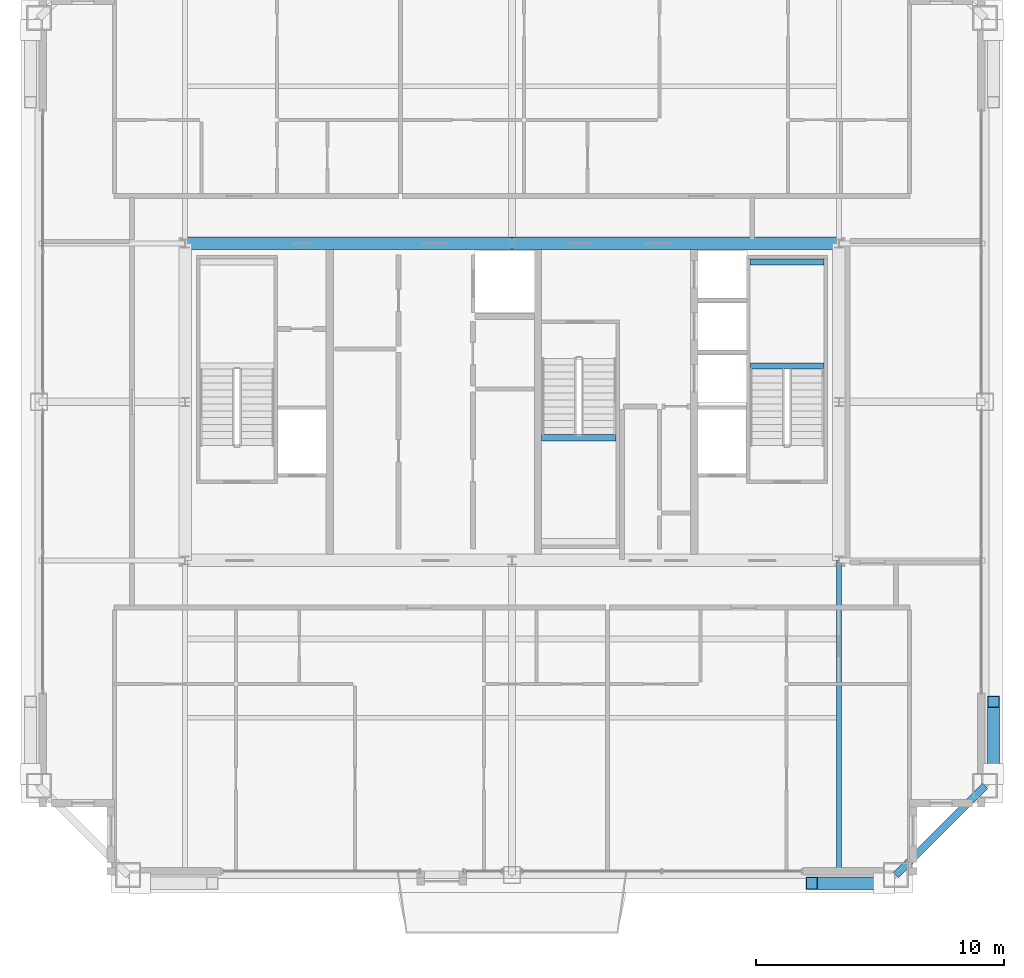
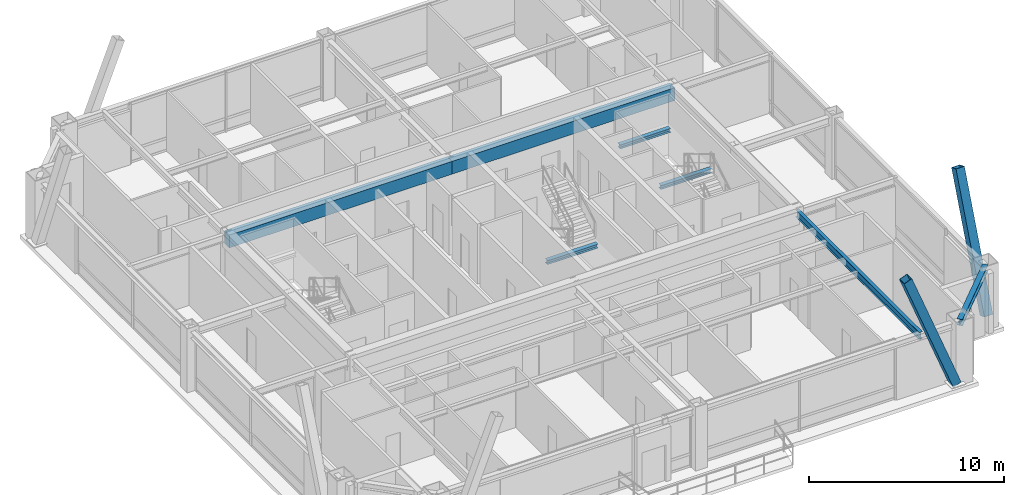
# One storey, part 12 of 35: 7 beams, 2 members.
"""IFC4 building model written with IfcOpenShell, lengths in metres."""

from ifc_helpers import new_model, si_unit, direction, frame, origin, origin_2d, place, context, subcontext, project, spatial, rectangle, hollow_rectangle, i_section, extrude, source, transform, mapped, material, material_profile, profile_set, type_object, element, save


model = new_model("IFC4")

# Units and contexts
model_context = context("Model", 3, precision=1e-05, world=origin(), true_north=direction((0.0, 1.0)))
body_context = subcontext(model_context, "Body", "Model", "MODEL_VIEW")
ifc_project = project(units=[si_unit("LENGTHUNIT", "METRE"), si_unit("AREAUNIT", "SQUARE_METRE"), si_unit("VOLUMEUNIT", "CUBIC_METRE"), si_unit("PLANEANGLEUNIT", "RADIAN"), si_unit("MASSUNIT", "GRAM", prefix="KILO"), si_unit("THERMODYNAMICTEMPERATUREUNIT", "KELVIN"), si_unit("POWERUNIT", "WATT")], contexts=[model_context])

# Site, building, storey
site_placement = place(None, origin())
site = spatial("IfcSite", under=ifc_project, at=site_placement, CompositionType="ELEMENT")
building_placement = place(site_placement, origin())
building = spatial("IfcBuilding", under=site, at=building_placement, Name="Yuzanri Waterfront Tower", CompositionType="ELEMENT")
storey_placement = place(building_placement, frame((0.0, 0.0, 343.199951171875)))
storey = spatial("IfcBuildingStorey", under=building, at=storey_placement, Name="L92", CompositionType="ELEMENT", Elevation=343.199951171875)

# Beams
ifc_material_1 = material(Name="Concrete C50", Category="concrete")
ifc_material_profile_1 = material_profile(ifc_material_1, rectangle(XDim=0.5, YDim=0.800048828125, at=origin_2d()), Name="RC 500x800")
ifc_profile_set_1 = profile_set([ifc_material_profile_1], Name="Concrete C50")
beam_type_1 = type_object("IfcBeamType", Name="Core Coupling Lintel Concrete C50 500x800", PredefinedType="LINTEL", material=ifc_profile_set_1)
shared_shape_1 = source(origin(), body_context, "Body", "SweptSolid", [
    extrude(rectangle(XDim=0.5, YDim=0.800048828125, at=origin_2d()), origin(), (0.0, 0.0, 1.0), 13.199951171875),
])
for number, where, z_axis, x_axis, name in (
    (1, (23.800048828125, 32.199951171875, 3.360107421875), (1.0, 0.0, 0.0), (0.0, 1.0, 0.0), "L92 Core Tie Beam CN1"),
    (2, (37.0, 32.199951171875, 3.360107421875), (1.0, 0.0, 0.0), (0.0, 1.0, 0.0), "L92 Core Tie Beam CN2"),
):
    element("IfcBeam", number, at=place(storey_placement, frame(where, z_axis=z_axis, x_axis=x_axis)), inside=storey, type_object=beam_type_1, Name=name, PredefinedType="LINTEL", context=body_context, shape_type="MappedRepresentation", body=[
        mapped(shared_shape_1, transform((0.0, 0.0, 0.0), scale=1.0)),
    ])
ifc_material_2 = material(Name="Steel Q355B", Category="steel")
ifc_material_profile_2 = material_profile(ifc_material_2, i_section(OverallWidth=0.300048828125, OverallDepth=0.389892578125, WebThickness=0.010009765625, FlangeThickness=0.01611328125, at=origin_2d()), Name="HM 390x300x10x16")
ifc_profile_set_2 = profile_set([ifc_material_profile_2], Name="Steel Q355B")
beam_type_2 = type_object("IfcBeamType", Name="Perimeter Spandrel Q355B HM 390x300", PredefinedType="SPANDREL", material=ifc_profile_set_2)
shared_shape_2 = source(origin(), body_context, "Body", "SweptSolid", [
    extrude(i_section(OverallWidth=0.300048828125, OverallDepth=0.389892578125, WebThickness=0.010009765625, FlangeThickness=0.01611328125, at=origin_2d()), origin(), (0.0, 0.0, 1.0), 5.09130859375),
])
beam_1_placement = place(storey_placement, frame((52.5, 6.699951171875, 3.56494140625), z_axis=(0.707106781187, 0.707106781187, 0.0), x_axis=(-0.707106781187, 0.707106781187, 0.0)))
element("IfcBeam", 3, at=beam_1_placement, inside=storey, type_object=beam_type_2, Name="L92 Perimeter Spandrel S3-E1", PredefinedType="SPANDREL", context=body_context, shape_type="MappedRepresentation", body=[
    mapped(shared_shape_2, transform((0.0, 0.0, 0.0), scale=1.0)),
])
ifc_material_3 = material(Name="Steel Q355B", Category="steel")
ifc_material_profile_3 = material_profile(ifc_material_3, i_section(OverallWidth=0.199951171875, OverallDepth=0.449951171875, WebThickness=0.009033203125, FlangeThickness=0.013916015625, at=origin_2d()), Name="HN 450x200x9x14")
ifc_profile_set_3 = profile_set([ifc_material_profile_3], Name="Steel Q355B")
beam_type_3 = type_object("IfcBeamType", Name="Secondary Floor Beam Q355B HN 450x200", PredefinedType="BEAM", material=ifc_profile_set_3)
shared_shape_3 = source(origin(), body_context, "Body", "SweptSolid", [
    extrude(i_section(OverallWidth=0.199951171875, OverallDepth=0.449951171875, WebThickness=0.009033203125, FlangeThickness=0.013916015625, at=origin_2d()), origin(), (0.0, 0.0, 1.0), 12.699951171875),
])
beam_2_placement = place(storey_placement, frame((50.199951171875, 19.39990234375, 3.53515625), z_axis=(0.0, -1.0, 0.0), x_axis=(1.0, 0.0, 0.0)))
element("IfcBeam", 4, at=beam_2_placement, inside=storey, type_object=beam_type_3, Name="L92 South-East Core Line Beam", PredefinedType="BEAM", context=body_context, shape_type="MappedRepresentation", body=[
    mapped(shared_shape_3, transform((0.0, 0.0, 0.0), scale=1.0)),
])

# Members
ifc_material_4 = material(Name="Steel Q390GJC", Category="steel")
ifc_material_profile_4 = material_profile(ifc_material_4, hollow_rectangle(XDim=0.5, YDim=0.5, WallThickness=0.02197265625, at=origin_2d()), Name="RHS 500x500x22")
ifc_profile_set_4 = profile_set([ifc_material_profile_4], Name="Steel Q390GJC")
member_type = type_object("IfcMemberType", Name="Mega Brace Upper Q390GJC RHS 500x500x22", PredefinedType="BRACE", material=ifc_profile_set_4)
shared_shape_4 = source(origin(), body_context, "Body", "SweptSolid", [
    extrude(hollow_rectangle(XDim=0.5, YDim=0.5, WallThickness=0.02197265625, at=origin_2d()), origin(), (0.0, 0.0, 1.0), 8.04833984375),
])
for number, where, z_axis, x_axis, name in (
    (5, (52.02001953125, 6.360107421875, 0.179931640625), (-0.362797559625, 0.0, 0.931867979238), (0.0, -1.0, 0.0), "L92-L93 Perimeter Mega-Brace S-R"),
    (6, (56.43994140625, 10.780029296875, 0.179931640625), (0.0, 0.362797559625, 0.931867979238), (-1.0, 0.0, 0.0), "L92-L93 Perimeter Mega-Brace E-L"),
):
    element("IfcMember", number, at=place(storey_placement, frame(where, z_axis=z_axis, x_axis=x_axis)), inside=storey, type_object=member_type, Name=name, PredefinedType="BRACE", context=body_context, shape_type="MappedRepresentation", body=[
        mapped(shared_shape_4, transform((0.0, 0.0, 0.0), scale=1.0)),
    ])

# Beams
ifc_material_5 = material(Name="Steel Q355B", Category="steel")
ifc_material_profile_5 = material_profile(ifc_material_5, i_section(OverallWidth=0.25, OverallDepth=0.25, WebThickness=0.009033203125, FlangeThickness=0.013916015625, at=origin_2d()), Name="HW 250x250x9x14")
ifc_profile_set_5 = profile_set([ifc_material_profile_5], Name="Steel Q355B")
beam_type_4 = type_object("IfcBeamType", Name="Stair Landing Support Beam Q355B HW 250x250", PredefinedType="BEAM", material=ifc_profile_set_5)
shared_shape_5 = source(origin(), body_context, "Body", "SweptSolid", [
    extrude(i_section(OverallWidth=0.25, OverallDepth=0.25, WebThickness=0.009033203125, FlangeThickness=0.013916015625, at=origin_2d()), origin(), (0.0, 0.0, 1.0), 3.0),
])
for number, where, z_axis, x_axis, name in (
    (7, (46.60009765625, 27.25, 1.675048828125), (1.0, 0.0, 0.0), (0.0, 1.0, 0.0), "L92 Stair Landing Support Beam ST-02-L92-L1-1"),
    (8, (46.60009765625, 31.449951171875, 1.675048828125), (1.0, 0.0, 0.0), (0.0, 1.0, 0.0), "L92 Stair Landing Support Beam ST-02-L92-L1-2"),
    (9, (38.199951171875, 24.35009765625, 1.675048828125), (1.0, 0.0, 0.0), (0.0, 1.0, 0.0), "L92 Stair Landing Support Beam ST-03-L92-L1-2"),
):
    element("IfcBeam", number, at=place(storey_placement, frame(where, z_axis=z_axis, x_axis=x_axis)), inside=storey, type_object=beam_type_4, Name=name, PredefinedType="BEAM", context=body_context, shape_type="MappedRepresentation", body=[
        mapped(shared_shape_5, transform((0.0, 0.0, 0.0), scale=1.0)),
    ])

save(model, "model.ifc")
